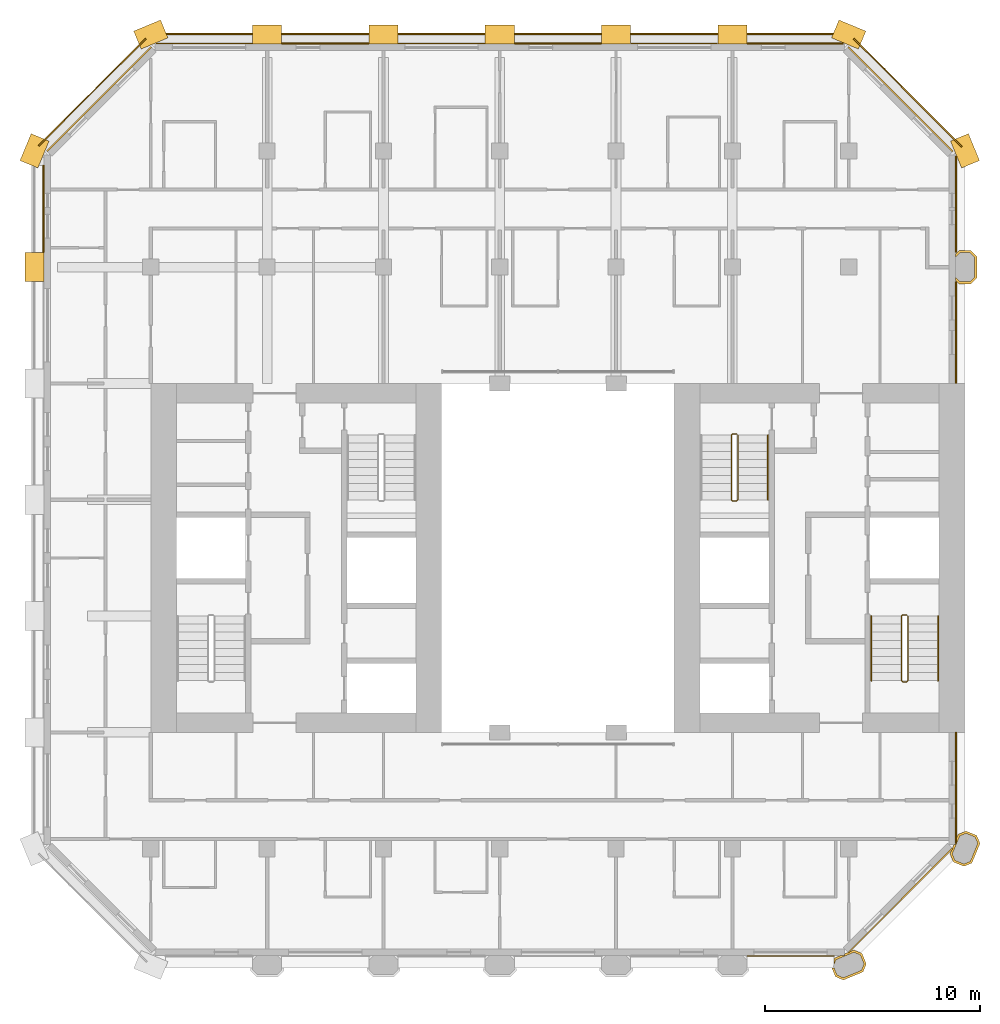
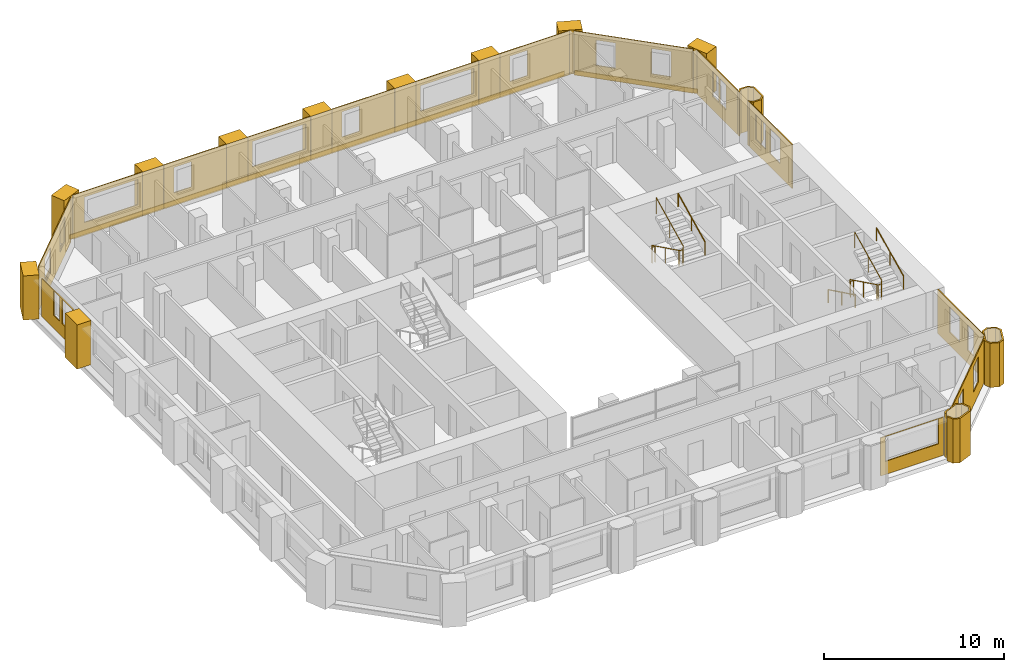
# One storey, part 14 of 14: 30 coverings, 5 railings.
"""IFC4 building model written with IfcOpenShell, lengths in metres."""

from ifc_helpers import new_model, si_unit, direction, frame, frame_2d, origin, origin_2d, place, context, subcontext, project, spatial, polyline, rectangle, circle, outline, extrude, material, layer, layer_set, type_object, element, save


model = new_model("IFC4")

# Units and contexts
model_context = context("Model", 3, precision=1e-05, world=origin(), true_north=direction((0.0, 1.0)))
body_context = subcontext(model_context, "Body", "Model", "MODEL_VIEW")
ifc_project = project(units=[si_unit("LENGTHUNIT", "METRE"), si_unit("AREAUNIT", "SQUARE_METRE"), si_unit("VOLUMEUNIT", "CUBIC_METRE"), si_unit("PLANEANGLEUNIT", "RADIAN"), si_unit("MASSUNIT", "GRAM", prefix="KILO")], contexts=[model_context])

# Site, building, storey
site_placement = place(None, origin())
site = spatial("IfcSite", under=ifc_project, at=site_placement, CompositionType="ELEMENT")
building_placement = place(site_placement, origin())
building = spatial("IfcBuilding", under=site, at=building_placement, Name="Tabaq Tower and Sports Hall", CompositionType="ELEMENT")
storey_placement = place(building_placement, frame((0.0, 0.0, 217.0)))
storey = spatial("IfcBuildingStorey", under=building, at=storey_placement, Name="L54", CompositionType="ELEMENT", Elevation=217.0)

# Coverings
ifc_material_1 = material(Name="Precast concrete C60/75", Category="concrete")
ifc_layer_1 = layer(ifc_material_1, 0.10009765625)
ifc_layer_set_1 = layer_set([ifc_layer_1], Name="Column cladding 100")
covering_type_1 = type_object("IfcCoveringType", Name="Column cladding 100", PredefinedType="CLADDING", material=ifc_layer_set_1)
covering_1_placement = place(storey_placement, origin())
element("IfcCovering", 1, at=covering_1_placement, inside=storey, type_object=covering_type_1, Name="Column cladding L54 PC-8B-H3", PredefinedType="CLADDING", context=body_context, shape_type="SweptSolid", body=[
    extrude(outline(polyline([(37.023681640625, 5.249755859375), (37.125244140625, 5.249755859375), (37.125244140625, 5.26416015625), (37.26220703125, 4.93359375), (37.556396484375, 4.811767578125), (38.38818359375, 5.15625), (38.510009765625, 5.450439453125), (38.337646484375, 5.866455078125), (38.04345703125, 5.98828125), (37.2119140625, 5.643798828125), (37.125244140625, 5.434814453125), (37.125244140625, 5.694580078125), (37.1357421875, 5.7197265625), (37.44921875, 5.849609375), (37.614013671875, 5.849609375), (37.614013671875, 5.91796875), (37.767578125, 5.9814453125), (37.799072265625, 5.9501953125), (37.875, 6.026123046875), (38.04345703125, 6.095947265625), (38.413818359375, 5.9423828125), (38.61767578125, 5.450439453125), (38.46435546875, 5.080078125), (37.556396484375, 4.7041015625), (37.186279296875, 4.857421875), (37.023681640625, 5.249755859375)])), origin(), (0.0, 0.0, 1.0), 3.0),
])
covering_2_placement = place(storey_placement, origin())
element("IfcCovering", 2, at=covering_2_placement, inside=storey, type_object=covering_type_1, Name="Column cladding L54 PC-9C-H3", PredefinedType="CLADDING", context=body_context, shape_type="SweptSolid", body=[
    extrude(outline(polyline([(42.657470703125, 10.186279296875), (42.504150390625, 10.556396484375), (42.573974609375, 10.72509765625), (42.64990234375, 10.801025390625), (42.618408203125, 10.83251953125), (42.68212890625, 10.986083984375), (42.750244140625, 10.986083984375), (42.750244140625, 11.04296875), (42.810302734375, 11.04296875), (42.810302734375, 11.295654296875), (42.880126953125, 11.46435546875), (43.25048828125, 11.61767578125), (43.742431640625, 11.413818359375), (43.895751953125, 11.04345703125), (43.519775390625, 10.1357421875), (43.149658203125, 9.982421875), (42.657470703125, 10.186279296875)]), holes=[polyline([(43.66650390625, 11.337646484375), (43.25048828125, 11.510009765625), (42.956298828125, 11.38818359375), (42.61181640625, 10.556396484375), (42.733642578125, 10.26220703125), (43.149658203125, 10.08984375), (43.44384765625, 10.2119140625), (43.788330078125, 11.04345703125), (43.66650390625, 11.337646484375)])]), origin(), (0.0, 0.0, 1.0), 3.0),
])
covering_3_placement = place(storey_placement, origin())
element("IfcCovering", 3, at=covering_3_placement, inside=storey, type_object=covering_type_1, Name="Column cladding L54 PC-9H-H3", PredefinedType="CLADDING", context=body_context, shape_type="SweptSolid", body=[
    extrude(outline(polyline([(42.93359375, 37.025390625), (42.750244140625, 37.208740234375), (42.750244140625, 37.349365234375), (42.974853515625, 37.124755859375), (43.425048828125, 37.124755859375), (43.650390625, 37.349853515625), (43.650390625, 38.250244140625), (43.425048828125, 38.475341796875), (42.974853515625, 38.475341796875), (42.750244140625, 38.250732421875), (42.750244140625, 38.391357421875), (42.93359375, 38.57470703125), (43.46630859375, 38.57470703125), (43.749755859375, 38.291259765625), (43.749755859375, 37.30859375), (43.46630859375, 37.025390625), (42.93359375, 37.025390625)])), origin(), (0.0, 0.0, 1.0), 3.0),
])
ifc_material_2 = material(Name="Precast concrete C60/75", Category="concrete")
ifc_layer_2 = layer(ifc_material_2, 0.06005859375)
ifc_layer_set_2 = layer_set([ifc_layer_2], Name="Edge beam cladding 60")
covering_type_2 = type_object("IfcCoveringType", Name="Edge beam cladding 60", PredefinedType="CLADDING", material=ifc_layer_set_2)
covering_4_placement = place(storey_placement, frame((43.04443359375, 43.39794921875, -0.300048828125), z_axis=(0.0, 0.0, 1.0), x_axis=(-0.707106781187, 0.707106781187, 0.0)))
element("IfcCovering", 4, at=covering_4_placement, inside=storey, type_object=covering_type_2, Name="Edge beam cladding L54 1", PredefinedType="CLADDING", context=body_context, shape_type="SweptSolid", body=[
    extrude(rectangle(XDim=7.08837890625, YDim=0.06005859375, at=frame_2d((3.544189453125, 0.0))), origin(), (0.0, 0.0, 1.0), 0.300048828125),
])
covering_5_placement = place(storey_placement, frame((37.50146484375, 48.6298828125, -0.300048828125), z_axis=(0.0, 0.0, 1.0), x_axis=(-1.0, 0.0, 0.0)))
element("IfcCovering", 5, at=covering_5_placement, inside=storey, type_object=covering_type_2, Name="Edge beam cladding L54 2", PredefinedType="CLADDING", context=body_context, shape_type="SweptSolid", body=[
    extrude(rectangle(XDim=31.802978515625, YDim=0.06005859375, at=frame_2d((15.9013671875, 0.0))), origin(), (0.0, 0.0, 1.0), 0.300048828125),
])
covering_6_placement = place(storey_placement, frame((5.167724609375, 48.41015625, -0.300048828125), z_axis=(0.0, 0.0, 1.0), x_axis=(-0.707106781187, -0.707106781187, 0.0)))
element("IfcCovering", 6, at=covering_6_placement, inside=storey, type_object=covering_type_2, Name="Edge beam cladding L54 3", PredefinedType="CLADDING", context=body_context, shape_type="SweptSolid", body=[
    extrude(rectangle(XDim=7.03955078125, YDim=0.06005859375, at=frame_2d((3.519775390625, 0.0))), origin(), (0.0, 0.0, 1.0), 0.300048828125),
])
ifc_material_3 = material(Name="White precast concrete C60/75", Category="concrete")
covering_type_3 = type_object("IfcCoveringType", Name="Pier cladding hung 1350x900", PredefinedType="CLADDING", material=ifc_material_3)
for number, where, z_axis, x_axis, name in (
    (7, (0.0, 38.47509765625, 0.0), (0.0, 0.0, 1.0), (0.0, -1.0, 0.0), "Hung pier cladding 0/7"),
    (8, (0.25830078125, 43.82373046875, 0.0), (0.0, 0.0, 1.0), (-0.382649923473, -0.923893411637, 0.0), "Hung pier cladding 0/8"),
    (9, (6.023681640625, 48.8583984375, 0.0), (0.0, 0.0, 1.0), (-0.923893411637, -0.382649923473, 0.0), "Hung pier cladding 1/9"),
    (10, (11.47509765625, 48.60009765625, 0.0), (0.0, 0.0, 1.0), (-1.0, 0.0, 0.0), "Hung pier cladding 2/9"),
    (11, (16.875, 48.60009765625, 0.0), (0.0, 0.0, 1.0), (-1.0, 0.0, 0.0), "Hung pier cladding 3/9"),
):
    element("IfcCovering", number, at=place(storey_placement, frame(where, z_axis=z_axis, x_axis=x_axis)), inside=storey, type_object=covering_type_3, Name=name, PredefinedType="CLADDING", context=body_context, shape_type="SweptSolid", body=[
        extrude(rectangle(XDim=1.35009765625, YDim=0.89990234375, at=frame_2d((0.675048828125, 0.0))), origin(), (0.0, 0.0, 1.0), 3.0),
    ])
covering_7_placement = place(storey_placement, frame((22.27490234375, 48.60009765625, 0.0), z_axis=(0.0, 0.0, 1.0), x_axis=(-1.0, 0.0, 0.0)))
element("IfcCovering", 12, at=covering_7_placement, inside=storey, type_object=covering_type_3, Name="Hung pier cladding 4/9", PredefinedType="CLADDING", context=body_context, shape_type="SweptSolid", body=[
    extrude(rectangle(XDim=1.349853515625, YDim=0.89990234375, at=frame_2d((0.6748046875, 0.0))), origin(), (0.0, 0.0, 1.0), 3.0),
])
covering_8_placement = place(storey_placement, frame((27.675048828125, 48.60009765625, 0.0), z_axis=(0.0, 0.0, 1.0), x_axis=(-1.0, 0.0, 0.0)))
element("IfcCovering", 13, at=covering_8_placement, inside=storey, type_object=covering_type_3, Name="Hung pier cladding 5/9", PredefinedType="CLADDING", context=body_context, shape_type="SweptSolid", body=[
    extrude(rectangle(XDim=1.35009765625, YDim=0.89990234375, at=frame_2d((0.675048828125, 0.0))), origin(), (0.0, 0.0, 1.0), 3.0),
])
covering_9_placement = place(storey_placement, frame((33.074951171875, 48.60009765625, 0.0), z_axis=(0.0, 0.0, 1.0), x_axis=(-1.0, 0.0, 0.0)))
element("IfcCovering", 14, at=covering_9_placement, inside=storey, type_object=covering_type_3, Name="Hung pier cladding 6/9", PredefinedType="CLADDING", context=body_context, shape_type="SweptSolid", body=[
    extrude(rectangle(XDim=1.349853515625, YDim=0.89990234375, at=frame_2d((0.6748046875, 0.0))), origin(), (0.0, 0.0, 1.0), 3.0),
])
for number, where, z_axis, x_axis, name in (
    (15, (38.423583984375, 48.341796875, 0.0), (0.0, 0.0, 1.0), (-0.923893411637, 0.382649923473, 0.0), "Hung pier cladding 7/9"),
    (16, (43.458251953125, 42.576416015625, 0.0), (0.0, 0.0, 1.0), (-0.382649923473, 0.923893411637, 0.0), "Hung pier cladding 8/8"),
):
    element("IfcCovering", number, at=place(storey_placement, frame(where, z_axis=z_axis, x_axis=x_axis)), inside=storey, type_object=covering_type_3, Name=name, PredefinedType="CLADDING", context=body_context, shape_type="SweptSolid", body=[
        extrude(rectangle(XDim=1.35009765625, YDim=0.89990234375, at=frame_2d((0.675048828125, 0.0))), origin(), (0.0, 0.0, 1.0), 3.0),
    ])

# Railings
ifc_material_4 = material(Name="Stainless steel", Category="steel")
railing_type_1 = type_object("IfcRailingType", Name="Stair guard", PredefinedType="GUARDRAIL", material=ifc_material_4)
railing_1_placement = place(storey_placement, frame((40.5, 21.64990234375, 0.0)))
element("IfcRailing", 17, at=railing_1_placement, inside=storey, type_object=railing_type_1, Name="L54 ST3 stair guard 1", PredefinedType="GUARDRAIL", context=body_context, shape_type="SweptSolid", body=[
    extrude(circle(Radius=0.02392578125, at=origin_2d()), frame((0.0, 0.0, 1.076171875), z_axis=(-1.0, 0.0, 0.0), x_axis=(0.0, -1.0, 0.0)), (0.0, 0.0, 1.0), 0.199951171875),
    extrude(circle(Radius=0.02392578125, at=origin_2d()), frame((-0.199951171875, 0.0, 1.076171875), z_axis=(-0.254733673405, -0.25349107012, 0.933195066962), x_axis=(0.705375805398, -0.708833529934, 0.0)), (0.0, 0.0, 1.0), 0.196533203125),
    extrude(circle(Radius=0.02392578125, at=origin_2d()), frame((-0.25, -0.0498046875, 1.25927734375), z_axis=(0.0, -0.898397823093, 0.439182594671), x_axis=(1.0, 0.0, 0.0)), (0.0, 0.0, 1.0), 3.33935546875),
    extrude(circle(Radius=0.02392578125, at=origin_2d()), frame((-0.25, -3.0498046875, 2.72607421875), z_axis=(0.707106781187, -0.707106781187, 0.0), x_axis=(0.707106781187, 0.707106781187, 0.0)), (0.0, 0.0, 1.0), 0.07080078125),
    extrude(circle(Radius=0.02392578125, at=origin_2d()), frame((-0.199951171875, -3.099853515625, 2.72607421875), z_axis=(1.0, 0.0, 0.0), x_axis=(0.0, 1.0, 0.0)), (0.0, 0.0, 1.0), 0.199951171875),
    extrude(circle(Radius=0.02392578125, at=origin_2d()), frame((0.0, -3.099853515625, 2.72607421875), z_axis=(0.254653276557, 0.254653276557, 0.932900539971), x_axis=(-0.707106781187, 0.707106781187, 0.0)), (0.0, 0.0, 1.0), 0.196533203125),
    extrude(circle(Radius=0.02392578125, at=origin_2d()), frame((0.050048828125, -3.0498046875, 2.9091796875), z_axis=(0.0, 0.898368975038, 0.439241601728), x_axis=(-1.0, 0.0, 0.0)), (0.0, 0.0, 1.0), 3.33935546875),
    extrude(circle(Radius=0.02099609375, at=origin_2d()), origin(), (0.0, 0.0, 1.0), 1.052001953125),
    extrude(circle(Radius=0.02099609375, at=origin_2d()), frame((-0.199951171875, 0.0, 0.0)), (0.0, 0.0, 1.0), 1.052001953125),
    extrude(circle(Radius=0.02099609375, at=origin_2d()), frame((-0.25, -0.0498046875, 0.183349609375)), (0.0, 0.0, 1.0), 1.052001953125),
    extrude(circle(Radius=0.02099609375, at=origin_2d()), frame((-0.25, -1.5498046875, 0.91650390625)), (0.0, 0.0, 1.0), 1.052001953125),
    extrude(circle(Radius=0.02099609375, at=origin_2d()), frame((-0.25, -3.0498046875, 1.64990234375)), (0.0, 0.0, 1.0), 1.052001953125),
    extrude(circle(Radius=0.02099609375, at=origin_2d()), frame((-0.199951171875, -3.099853515625, 1.64990234375)), (0.0, 0.0, 1.0), 1.052001953125),
    extrude(circle(Radius=0.02099609375, at=origin_2d()), frame((0.0, -3.099853515625, 1.64990234375)), (0.0, 0.0, 1.0), 1.052001953125),
    extrude(circle(Radius=0.02099609375, at=origin_2d()), frame((0.050048828125, -3.0498046875, 1.833251953125)), (0.0, 0.0, 1.0), 1.052001953125),
    extrude(circle(Radius=0.02099609375, at=origin_2d()), frame((0.050048828125, -1.5498046875, 2.566650390625)), (0.0, 0.0, 1.0), 1.052001953125),
    extrude(circle(Radius=0.02099609375, at=origin_2d()), frame((0.050048828125, -0.0498046875, 3.300048828125)), (0.0, 0.0, 1.0), 1.052001953125),
])
railing_2_placement = place(storey_placement, frame((32.60009765625, 30.050048828125, 0.0)))
element("IfcRailing", 18, at=railing_2_placement, inside=storey, type_object=railing_type_1, Name="L54 ST4 stair guard 1", PredefinedType="GUARDRAIL", context=body_context, shape_type="SweptSolid", body=[
    extrude(circle(Radius=0.02392578125, at=origin_2d()), frame((0.0, 0.0, 1.076171875), z_axis=(-1.0, 0.0, 0.0), x_axis=(0.0, -1.0, 0.0)), (0.0, 0.0, 1.0), 0.2001953125),
    extrude(circle(Radius=0.02392578125, at=origin_2d()), frame((-0.2001953125, 0.0, 1.076171875), z_axis=(-0.25349107012, -0.254733673405, 0.933195066962), x_axis=(0.708833529934, -0.705375805398, 0.0)), (0.0, 0.0, 1.0), 0.196533203125),
    extrude(circle(Radius=0.02392578125, at=origin_2d()), frame((-0.25, -0.050048828125, 1.25927734375), z_axis=(0.0, -0.898397823093, 0.439182594671), x_axis=(1.0, 0.0, 0.0)), (0.0, 0.0, 1.0), 3.33935546875),
    extrude(circle(Radius=0.02392578125, at=origin_2d()), frame((-0.25, -3.050048828125, 2.72607421875), z_axis=(0.705375805398, -0.708833529934, 0.0), x_axis=(0.708833529934, 0.705375805398, 0.0)), (0.0, 0.0, 1.0), 0.070556640625),
    extrude(circle(Radius=0.02392578125, at=origin_2d()), frame((-0.2001953125, -3.10009765625, 2.72607421875), z_axis=(1.0, 0.0, 0.0), x_axis=(0.0, 1.0, 0.0)), (0.0, 0.0, 1.0), 0.2001953125),
    extrude(circle(Radius=0.02392578125, at=origin_2d()), frame((0.0, -3.10009765625, 2.72607421875), z_axis=(0.25349107012, 0.254733673405, 0.933195066962), x_axis=(-0.708833529934, 0.705375805398, 0.0)), (0.0, 0.0, 1.0), 0.196533203125),
    extrude(circle(Radius=0.02392578125, at=origin_2d()), frame((0.0498046875, -3.050048828125, 2.9091796875), z_axis=(0.0, 0.898368975038, 0.439241601728), x_axis=(-1.0, 0.0, 0.0)), (0.0, 0.0, 1.0), 3.33935546875),
    extrude(circle(Radius=0.02099609375, at=origin_2d()), origin(), (0.0, 0.0, 1.0), 1.052001953125),
    extrude(circle(Radius=0.02099609375, at=origin_2d()), frame((-0.2001953125, 0.0, 0.0)), (0.0, 0.0, 1.0), 1.052001953125),
    extrude(circle(Radius=0.02099609375, at=origin_2d()), frame((-0.25, -0.050048828125, 0.183349609375)), (0.0, 0.0, 1.0), 1.052001953125),
    extrude(circle(Radius=0.02099609375, at=origin_2d()), frame((-0.25, -1.550048828125, 0.91650390625)), (0.0, 0.0, 1.0), 1.052001953125),
    extrude(circle(Radius=0.02099609375, at=origin_2d()), frame((-0.25, -3.050048828125, 1.64990234375)), (0.0, 0.0, 1.0), 1.052001953125),
    extrude(circle(Radius=0.02099609375, at=origin_2d()), frame((-0.2001953125, -3.10009765625, 1.64990234375)), (0.0, 0.0, 1.0), 1.052001953125),
    extrude(circle(Radius=0.02099609375, at=origin_2d()), frame((0.0, -3.10009765625, 1.64990234375)), (0.0, 0.0, 1.0), 1.052001953125),
    extrude(circle(Radius=0.02099609375, at=origin_2d()), frame((0.0498046875, -3.050048828125, 1.833251953125)), (0.0, 0.0, 1.0), 1.052001953125),
    extrude(circle(Radius=0.02099609375, at=origin_2d()), frame((0.0498046875, -1.550048828125, 2.566650390625)), (0.0, 0.0, 1.0), 1.052001953125),
    extrude(circle(Radius=0.02099609375, at=origin_2d()), frame((0.0498046875, -0.050048828125, 3.300048828125)), (0.0, 0.0, 1.0), 1.052001953125),
])
ifc_material_5 = material(Name="Stainless steel", Category="steel")
railing_type_2 = type_object("IfcRailingType", Name="Stair handrail", PredefinedType="HANDRAIL", material=ifc_material_5)
railing_3_placement = place(storey_placement, frame((38.85009765625, 21.60009765625, 0.183349609375)))
element("IfcRailing", 19, at=railing_3_placement, inside=storey, type_object=railing_type_2, Name="L54 ST3 stair handrail 1", PredefinedType="HANDRAIL", context=body_context, shape_type="SweptSolid", body=[
    extrude(circle(Radius=0.02392578125, at=origin_2d()), frame((0.0, 0.0, 0.8759765625), z_axis=(0.0, -0.898397823093, 0.439182594671), x_axis=(1.0, 0.0, 0.0)), (0.0, 0.0, 1.0), 3.33935546875),
    extrude(circle(Radius=0.02099609375, at=origin_2d()), origin(), (0.0, 0.0, 1.0), 0.851806640625),
    extrude(circle(Radius=0.02099609375, at=origin_2d()), frame((0.0, -1.5, 0.7333984375)), (0.0, 0.0, 1.0), 0.851806640625),
    extrude(circle(Radius=0.02099609375, at=origin_2d()), frame((0.0, -3.0, 1.466552734375)), (0.0, 0.0, 1.0), 0.851806640625),
])
for number, where, name in (
    (20, (41.949951171875, 18.60009765625, 1.833251953125), "L54 ST3 stair handrail 2"),
    (21, (34.050048828125, 27.0, 1.833251953125), "L54 ST4 stair handrail 2"),
):
    element("IfcRailing", number, at=place(storey_placement, frame(where)), inside=storey, type_object=railing_type_2, Name=name, PredefinedType="HANDRAIL", context=body_context, shape_type="SweptSolid", body=[
        extrude(circle(Radius=0.02392578125, at=origin_2d()), frame((0.0, 0.0, 0.8759765625), z_axis=(0.0, 0.898368975038, 0.439241601728), x_axis=(-1.0, 0.0, 0.0)), (0.0, 0.0, 1.0), 3.33935546875),
        extrude(circle(Radius=0.02099609375, at=origin_2d()), origin(), (0.0, 0.0, 1.0), 0.851806640625),
        extrude(circle(Radius=0.02099609375, at=origin_2d()), frame((0.0, 1.5, 0.7333984375)), (0.0, 0.0, 1.0), 0.851806640625),
        extrude(circle(Radius=0.02099609375, at=origin_2d()), frame((0.0, 3.0, 1.466796875)), (0.0, 0.0, 1.0), 0.851806640625),
    ])

# Coverings
ifc_material_6 = material(Name="Precast concrete C60/75", Category="concrete")
ifc_layer_3 = layer(ifc_material_6, 0.06005859375)
ifc_layer_set_3 = layer_set([ifc_layer_3], Name="White precast cladding panel 60 C60/75")
covering_type_4 = type_object("IfcCoveringType", Name="White precast cladding panel 60 C60/75", PredefinedType="CLADDING", material=ifc_layer_set_3)
covering_10_placement = place(storey_placement, frame((33.0849609375, 5.820068359375, 0.0), z_axis=(0.0, 0.0, 1.0), x_axis=(1.0, 0.0, 0.0)))
element("IfcCovering", 22, at=covering_10_placement, inside=storey, type_object=covering_type_4, Name="White precast cladding panel L54 wall00 6", PredefinedType="CLADDING", context=body_context, shape_type="SweptSolid", body=[
    extrude(outline(polyline([(0.0, 0.0), (4.050048828125, 0.0), (4.050048828125, 2.590087890625), (0.0, 2.590087890625), (0.0, 0.0)]), holes=[polyline([(3.72509765625, 0.889892578125), (0.304931640625, 0.889892578125), (0.304931640625, 2.56005859375), (3.72509765625, 2.56005859375), (3.72509765625, 0.889892578125)])]), frame((0.0, 0.030029296875, 0.0), z_axis=(0.0, -1.0, 0.0), x_axis=(1.0, 0.0, 0.0)), (0.0, 0.0, 1.0), 0.06005859375),
])
covering_11_placement = place(storey_placement, frame((37.77783203125, 5.9716796875, 0.0), z_axis=(0.0, 0.0, 1.0), x_axis=(0.707088985397, 0.707124576528, 0.0)))
element("IfcCovering", 23, at=covering_11_placement, inside=storey, type_object=covering_type_4, Name="White precast cladding panel L54 wall01", PredefinedType="CLADDING", context=body_context, shape_type="SweptSolid", body=[
    extrude(outline(polyline([(0.0, 0.0), (6.859619140625, 0.0), (6.859619140625, 3.0), (0.0, 3.0), (0.0, 0.0)]), holes=[polyline([(1.269775390625, 2.610107421875), (2.389892578125, 2.610107421875), (2.389892578125, 0.889892578125), (1.269775390625, 0.889892578125), (1.269775390625, 2.610107421875)]), polyline([(4.4697265625, 2.610107421875), (5.58984375, 2.610107421875), (5.58984375, 0.889892578125), (4.4697265625, 0.889892578125), (4.4697265625, 2.610107421875)])]), frame((0.0, 0.030029296875, 0.0), z_axis=(0.0, -1.0, 0.0), x_axis=(1.0, 0.0, 0.0)), (0.0, 0.0, 1.0), 0.06005859375),
])
covering_12_placement = place(storey_placement, frame((42.780029296875, 11.043212890625, 0.0), z_axis=(0.0, 0.0, 1.0), x_axis=(0.0, 1.0, 0.0)))
element("IfcCovering", 24, at=covering_12_placement, inside=storey, type_object=covering_type_4, Name="White precast cladding panel L54 wall02", PredefinedType="CLADDING", context=body_context, shape_type="SweptSolid", body=[
    extrude(outline(polyline([(0.0, 0.0), (5.15673828125, 0.0), (5.15673828125, 3.0), (0.0, 3.0), (0.0, 0.0)]), holes=[polyline([(1.171875, 2.610107421875), (1.841796875, 2.610107421875), (1.841796875, 0.889892578125), (1.171875, 0.889892578125), (1.171875, 2.610107421875)]), polyline([(2.69677734375, 2.610107421875), (3.81689453125, 2.610107421875), (3.81689453125, 0.889892578125), (2.69677734375, 0.889892578125), (2.69677734375, 2.610107421875)])]), frame((0.0, 0.030029296875, 0.0), z_axis=(0.0, -1.0, 0.0), x_axis=(1.0, 0.0, 0.0)), (0.0, 0.0, 1.0), 0.06005859375),
])
covering_13_placement = place(storey_placement, frame((42.780029296875, 32.39990234375, 0.0), z_axis=(0.0, 0.0, 1.0), x_axis=(0.0, 1.0, 0.0)))
element("IfcCovering", 25, at=covering_13_placement, inside=storey, type_object=covering_type_4, Name="White precast cladding panel L54 wall02-1", PredefinedType="CLADDING", context=body_context, shape_type="SweptSolid", body=[
    extrude(outline(polyline([(0.0, 0.0), (4.715087890625, 0.0), (4.715087890625, 3.0), (0.0, 3.0), (0.0, 0.0)]), holes=[polyline([(1.340087890625, 2.610107421875), (2.4599609375, 2.610107421875), (2.4599609375, 0.889892578125), (1.340087890625, 0.889892578125), (1.340087890625, 2.610107421875)]), polyline([(2.93994140625, 2.610107421875), (4.06005859375, 2.610107421875), (4.06005859375, 0.889892578125), (2.93994140625, 0.889892578125), (2.93994140625, 2.610107421875)])]), frame((0.0, 0.030029296875, 0.0), z_axis=(0.0, -1.0, 0.0), x_axis=(1.0, 0.0, 0.0)), (0.0, 0.0, 1.0), 0.06005859375),
])
covering_14_placement = place(storey_placement, frame((42.780029296875, 38.485107421875, 0.0), z_axis=(0.0, 0.0, 1.0), x_axis=(0.0, 1.0, 0.0)))
element("IfcCovering", 26, at=covering_14_placement, inside=storey, type_object=covering_type_4, Name="White precast cladding panel L54 wall02-1 2", PredefinedType="CLADDING", context=body_context, shape_type="SweptSolid", body=[
    extrude(outline(polyline([(0.0, 0.0), (4.4716796875, 0.0), (4.4716796875, 3.0), (0.0, 3.0), (0.0, 0.0)]), holes=[polyline([(1.280029296875, 2.610107421875), (1.949951171875, 2.610107421875), (1.949951171875, 0.889892578125), (1.280029296875, 0.889892578125), (1.280029296875, 2.610107421875)]), polyline([(2.080078125, 2.610107421875), (2.75, 2.610107421875), (2.75, 0.889892578125), (2.080078125, 0.889892578125), (2.080078125, 2.610107421875)])]), frame((0.0, 0.030029296875, 0.0), z_axis=(0.0, -1.0, 0.0), x_axis=(1.0, 0.0, 0.0)), (0.0, 0.0, 1.0), 0.06005859375),
])
covering_15_placement = place(storey_placement, frame((42.628173828125, 43.177734375, 0.0), z_axis=(0.0, 0.0, 1.0), x_axis=(-0.707088985397, 0.707124576528, 0.0)))
element("IfcCovering", 27, at=covering_15_placement, inside=storey, type_object=covering_type_4, Name="White precast cladding panel L54 wall03", PredefinedType="CLADDING", context=body_context, shape_type="SweptSolid", body=[
    extrude(outline(polyline([(0.0, 0.0), (6.859619140625, 0.0), (6.859619140625, 3.0), (0.0, 3.0), (0.0, 0.0)]), holes=[polyline([(1.269775390625, 2.610107421875), (2.389892578125, 2.610107421875), (2.389892578125, 0.889892578125), (1.269775390625, 0.889892578125), (1.269775390625, 2.610107421875)]), polyline([(4.4697265625, 2.610107421875), (5.58984375, 2.610107421875), (5.58984375, 0.889892578125), (4.4697265625, 0.889892578125), (4.4697265625, 2.610107421875)])]), frame((0.0, 0.030029296875, 0.0), z_axis=(0.0, -1.0, 0.0), x_axis=(1.0, 0.0, 0.0)), (0.0, 0.0, 1.0), 0.06005859375),
])
covering_16_placement = place(storey_placement, frame((37.556884765625, 48.179931640625, 0.0), z_axis=(0.0, 0.0, 1.0), x_axis=(-1.0, 0.0, 0.0)))
element("IfcCovering", 28, at=covering_16_placement, inside=storey, type_object=covering_type_4, Name="White precast cladding panel L54 wall04", PredefinedType="CLADDING", context=body_context, shape_type="SweptSolid", body=[
    extrude(outline(polyline([(0.0, 0.0), (4.471923828125, 0.0), (4.471923828125, 3.0), (0.0, 3.0), (0.0, 0.0)]), holes=[polyline([(2.69677734375, 0.889892578125), (2.69677734375, 2.610107421875), (3.81689453125, 2.610107421875), (3.81689453125, 0.889892578125), (2.69677734375, 0.889892578125)])]), frame((0.0, 0.030029296875, 0.0), z_axis=(0.0, -1.0, 0.0), x_axis=(1.0, 0.0, 0.0)), (0.0, 0.0, 1.0), 0.06005859375),
])
covering_17_placement = place(storey_placement, frame((31.715087890625, 48.179931640625, 0.0), z_axis=(0.0, 0.0, 1.0), x_axis=(-1.0, 0.0, 0.0)))
element("IfcCovering", 29, at=covering_17_placement, inside=storey, type_object=covering_type_4, Name="White precast cladding panel L54 wall04 2", PredefinedType="CLADDING", context=body_context, shape_type="SweptSolid", body=[
    extrude(outline(polyline([(0.0, 0.0), (4.030029296875, 0.0), (4.030029296875, 3.0), (0.0, 3.0), (0.0, 0.0)]), holes=[polyline([(0.304931640625, 0.889892578125), (0.304931640625, 2.610107421875), (3.72509765625, 2.610107421875), (3.72509765625, 0.889892578125), (0.304931640625, 0.889892578125)])]), frame((0.0, 0.030029296875, 0.0), z_axis=(0.0, -1.0, 0.0), x_axis=(1.0, 0.0, 0.0)), (0.0, 0.0, 1.0), 0.06005859375),
])
covering_18_placement = place(storey_placement, frame((26.31494140625, 48.179931640625, 0.0), z_axis=(0.0, 0.0, 1.0), x_axis=(-1.0, 0.0, 0.0)))
element("IfcCovering", 30, at=covering_18_placement, inside=storey, type_object=covering_type_4, Name="White precast cladding panel L54 wall04 3", PredefinedType="CLADDING", context=body_context, shape_type="SweptSolid", body=[
    extrude(outline(polyline([(0.0, 0.0), (4.030029296875, 0.0), (4.030029296875, 3.0), (0.0, 3.0), (0.0, 0.0)]), holes=[polyline([(2.2548828125, 0.889892578125), (2.2548828125, 2.610107421875), (3.375, 2.610107421875), (3.375, 0.889892578125), (2.2548828125, 0.889892578125)])]), frame((0.0, 0.030029296875, 0.0), z_axis=(0.0, -1.0, 0.0), x_axis=(1.0, 0.0, 0.0)), (0.0, 0.0, 1.0), 0.06005859375),
])
covering_19_placement = place(storey_placement, frame((20.9150390625, 48.179931640625, 0.0), z_axis=(0.0, 0.0, 1.0), x_axis=(-1.0, 0.0, 0.0)))
element("IfcCovering", 31, at=covering_19_placement, inside=storey, type_object=covering_type_4, Name="White precast cladding panel L54 wall04 4", PredefinedType="CLADDING", context=body_context, shape_type="SweptSolid", body=[
    extrude(outline(polyline([(0.0, 0.0), (4.030029296875, 0.0), (4.030029296875, 3.0), (0.0, 3.0), (0.0, 0.0)]), holes=[polyline([(0.304931640625, 0.889892578125), (0.304931640625, 2.610107421875), (3.72509765625, 2.610107421875), (3.72509765625, 0.889892578125), (0.304931640625, 0.889892578125)])]), frame((0.0, 0.030029296875, 0.0), z_axis=(0.0, -1.0, 0.0), x_axis=(1.0, 0.0, 0.0)), (0.0, 0.0, 1.0), 0.06005859375),
])
covering_20_placement = place(storey_placement, frame((15.514892578125, 48.179931640625, 0.0), z_axis=(0.0, 0.0, 1.0), x_axis=(-1.0, 0.0, 0.0)))
element("IfcCovering", 32, at=covering_20_placement, inside=storey, type_object=covering_type_4, Name="White precast cladding panel L54 wall04 5", PredefinedType="CLADDING", context=body_context, shape_type="SweptSolid", body=[
    extrude(outline(polyline([(0.0, 0.0), (4.02978515625, 0.0), (4.02978515625, 3.0), (0.0, 3.0), (0.0, 0.0)]), holes=[polyline([(2.2548828125, 0.889892578125), (2.2548828125, 2.610107421875), (3.375, 2.610107421875), (3.375, 0.889892578125), (2.2548828125, 0.889892578125)])]), frame((0.0, 0.030029296875, 0.0), z_axis=(0.0, -1.0, 0.0), x_axis=(1.0, 0.0, 0.0)), (0.0, 0.0, 1.0), 0.06005859375),
])
covering_21_placement = place(storey_placement, frame((10.114990234375, 48.179931640625, 0.0), z_axis=(0.0, 0.0, 1.0), x_axis=(-1.0, 0.0, 0.0)))
element("IfcCovering", 33, at=covering_21_placement, inside=storey, type_object=covering_type_4, Name="White precast cladding panel L54 wall04 6", PredefinedType="CLADDING", context=body_context, shape_type="SweptSolid", body=[
    extrude(outline(polyline([(0.0, 0.0), (4.471923828125, 0.0), (4.471923828125, 3.0), (0.0, 3.0), (0.0, 0.0)]), holes=[polyline([(0.304931640625, 0.889892578125), (0.304931640625, 2.610107421875), (3.72509765625, 2.610107421875), (3.72509765625, 0.889892578125), (0.304931640625, 0.889892578125)])]), frame((0.0, 0.030029296875, 0.0), z_axis=(0.0, -1.0, 0.0), x_axis=(1.0, 0.0, 0.0)), (0.0, 0.0, 1.0), 0.06005859375),
])
covering_22_placement = place(storey_placement, frame((5.42236328125, 48.0283203125, 0.0), z_axis=(0.0, 0.0, 1.0), x_axis=(-0.707106781187, -0.707106781187, 0.0)))
element("IfcCovering", 34, at=covering_22_placement, inside=storey, type_object=covering_type_4, Name="White precast cladding panel L54 wall05", PredefinedType="CLADDING", context=body_context, shape_type="SweptSolid", body=[
    extrude(outline(polyline([(0.0, 0.0), (6.85986328125, 0.0), (6.85986328125, 3.0), (0.0, 3.0), (0.0, 0.0)]), holes=[polyline([(1.269775390625, 2.610107421875), (2.389892578125, 2.610107421875), (2.389892578125, 0.889892578125), (1.269775390625, 0.889892578125), (1.269775390625, 2.610107421875)]), polyline([(4.4697265625, 2.610107421875), (5.58984375, 2.610107421875), (5.58984375, 0.889892578125), (4.4697265625, 0.889892578125), (4.4697265625, 2.610107421875)])]), frame((0.0, 0.030029296875, 0.0), z_axis=(0.0, -1.0, 0.0), x_axis=(1.0, 0.0, 0.0)), (0.0, 0.0, 1.0), 0.06005859375),
])
covering_23_placement = place(storey_placement, frame((0.419921875, 42.534912109375, 0.0), z_axis=(0.0, 0.0, 1.0), x_axis=(0.0, -1.0, 0.0)))
element("IfcCovering", 35, at=covering_23_placement, inside=storey, type_object=covering_type_4, Name="White precast cladding panel L54 wall06", PredefinedType="CLADDING", context=body_context, shape_type="SweptSolid", body=[
    extrude(outline(polyline([(0.0, 0.0), (4.0498046875, 0.0), (4.0498046875, 2.590087890625), (0.0, 2.590087890625), (0.0, 0.0)]), holes=[polyline([(1.300048828125, 0.889892578125), (1.300048828125, 2.56005859375), (1.969970703125, 2.56005859375), (1.969970703125, 0.889892578125), (1.300048828125, 0.889892578125)]), polyline([(2.27490234375, 0.889892578125), (2.27490234375, 2.56005859375), (3.39501953125, 2.56005859375), (3.39501953125, 0.889892578125), (2.27490234375, 0.889892578125)])]), frame((0.0, 0.030029296875, 0.0), z_axis=(0.0, -1.0, 0.0), x_axis=(1.0, 0.0, 0.0)), (0.0, 0.0, 1.0), 0.06005859375),
])

save(model, "model.ifc")
